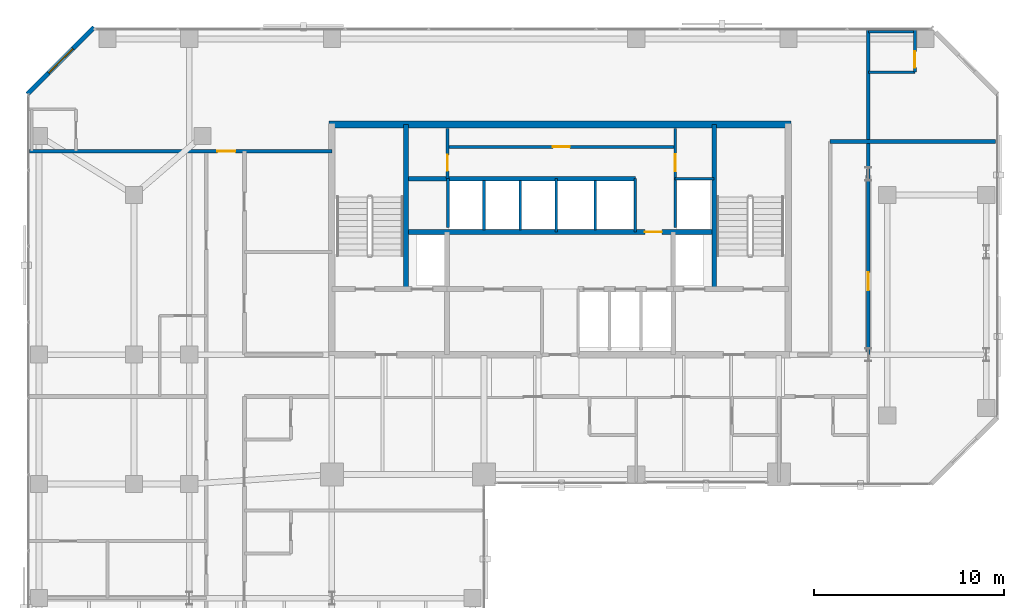
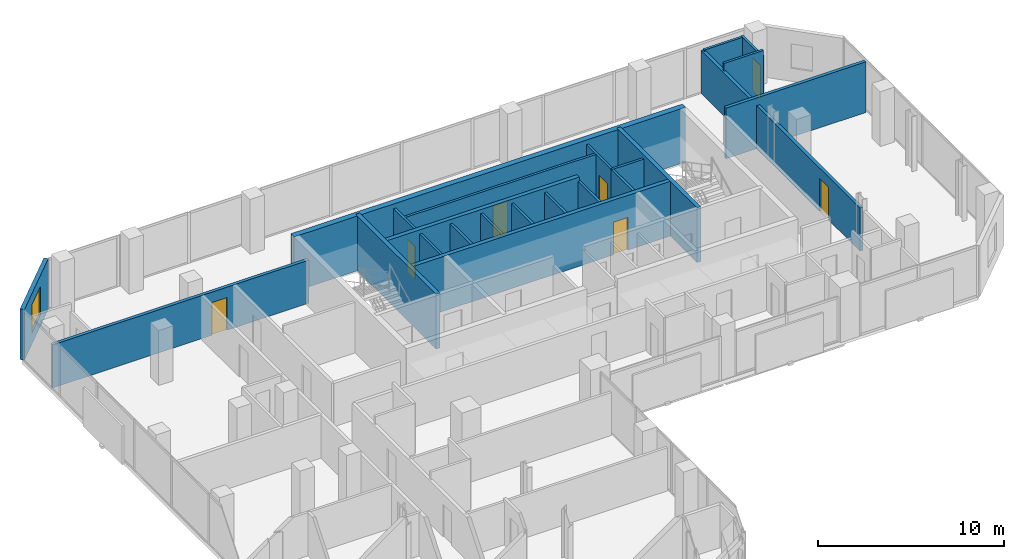
# One storey, part 30 of 34: 23 walls, 7 doors, 1 window, 8 openings.
"""IFC4 building model written with IfcOpenShell, lengths in metres."""

import ifcopenshell
import ifcopenshell.guid

model = None  # the IFC model being written
_history = None  # IfcOwnerHistory: only IFC2X3 demands one
_inside = {}  # id of a spatial element -> (the spatial element, [elements in it])
_under = {}  # id of a project, library or spatial element -> (it, [spatial elements below it])
_declared = {}  # id of a project -> (the project, [libraries it declares])
_typed = {}  # id of a type object -> (the type object, [elements of that type])
_made_of = {}  # id of a material, layer set ... -> (it, [elements and type objects made of it])


def new_model(schema):
    """Start an empty IFC model of exactly this schema.

    Asked for "IFC4X3", IfcOpenShell would pick the latest addendum, in which some entities
    have other attributes; the version numbers below select the first issue.
    IFC2X3 requires an IfcOwnerHistory on every rooted entity: one is made here for all.
    """
    global model, _history
    if schema == "IFC4X3":
        model = ifcopenshell.file(schema_version=(4, 3, 0, 0))
    else:
        model = ifcopenshell.file(schema=schema)
    _inside.clear()
    _under.clear()
    _declared.clear()
    _typed.clear()
    _made_of.clear()
    _history = None
    if model.schema == "IFC2X3":
        org = make("IfcOrganization", Name="unknown")
        user = make(
            "IfcPersonAndOrganization",
            ThePerson=make("IfcPerson", FamilyName="unknown"),
            TheOrganization=org,
        )
        app = make(
            "IfcApplication",
            ApplicationDeveloper=org,
            Version="unknown",
            ApplicationFullName="unknown",
            ApplicationIdentifier="unknown",
        )
        _history = make(
            "IfcOwnerHistory",
            OwningUser=user,
            OwningApplication=app,
            ChangeAction="ADDED",
            CreationDate=0,
        )
    return model


def make(cls, **values):
    """One entity of the class cls with the attributes given. An attribute that is None is left unset."""
    return model.create_entity(
        cls, **{name: value for name, value in values.items() if value is not None}
    )


def rooted(cls, **values):
    """An entity with a GlobalId (a new one), such as an element, a storey or a relation."""
    return make(cls, GlobalId=ifcopenshell.guid.new(), OwnerHistory=_history, **values)


def si_unit(unit_type, name, prefix=None):
    """IfcSIUnit, for example si_unit("LENGTHUNIT", "METRE", prefix="MILLI")."""
    return make("IfcSIUnit", UnitType=unit_type, Prefix=prefix, Name=name)


def assignment(units):
    """IfcUnitAssignment: the units of a project."""
    return None if units is None else make("IfcUnitAssignment", Units=units)


def point(xyz):
    """IfcCartesianPoint."""
    return None if xyz is None else make("IfcCartesianPoint", Coordinates=xyz)


def direction(xyz):
    """IfcDirection."""
    return None if xyz is None else make("IfcDirection", DirectionRatios=xyz)


def frame(location, z_axis=None, x_axis=None):
    """IfcAxis2Placement3D, a coordinate frame: its origin and axes. An axis left out is left unset."""
    return make(
        "IfcAxis2Placement3D",
        Location=point(location),
        Axis=direction(z_axis),
        RefDirection=direction(x_axis),
    )


def frame_2d(location, x_axis=None):
    """IfcAxis2Placement2D, a coordinate frame in the plane: its origin and x axis."""
    return make(
        "IfcAxis2Placement2D", Location=point(location), RefDirection=direction(x_axis)
    )


def origin():
    """The frame at (0, 0, 0) with its axes left unset."""
    return frame((0.0, 0.0, 0.0))


def place(relative_to, where):
    """IfcLocalPlacement: puts the frame where relative to a parent placement (None: the world)."""
    return make(
        "IfcLocalPlacement", PlacementRelTo=relative_to, RelativePlacement=where
    )


def context(
    kind, dimensions, precision=None, world=None, true_north=None, identifier=None
):
    """IfcGeometricRepresentationContext, for example the 3D "Model" context."""
    return make(
        "IfcGeometricRepresentationContext",
        ContextIdentifier=identifier,
        ContextType=kind,
        CoordinateSpaceDimension=dimensions,
        Precision=precision,
        WorldCoordinateSystem=world,
        TrueNorth=true_north,
    )


def subcontext(parent, identifier, kind, view, scale=None):
    """IfcGeometricRepresentationSubContext, for example "Body" below "Model"."""
    return make(
        "IfcGeometricRepresentationSubContext",
        ContextIdentifier=identifier,
        ContextType=kind,
        ParentContext=parent,
        TargetScale=scale,
        TargetView=view,
    )


def project(units=None, contexts=None):
    """IfcProject with its units and contexts."""
    return rooted(
        "IfcProject",
        Name="project",
        RepresentationContexts=contexts,
        UnitsInContext=assignment(units),
    )


def spatial(cls, under=None, at=None, **own):
    """A site, building, storey or space (cls), placed at a placement, below another one or the project."""
    s = rooted(cls, ObjectPlacement=at, **own)
    if under is not None:
        _under.setdefault(under.id(), (under, []))[1].append(s)
    return s


def profile(cls, at=None, kind="AREA", **sizes):
    """A parametric profile (cls). Its sizes go by their IFC names, for example OverallWidth=200.0."""
    return make(cls, ProfileType=kind, Position=at, **sizes)


def rectangle(**sizes):
    """IfcRectangleProfileDef."""
    return profile("IfcRectangleProfileDef", **sizes)


def extrude(swept, where, along, depth):
    """IfcExtrudedAreaSolid: the profile swept, set in the frame where, extruded along a direction by depth."""
    return make(
        "IfcExtrudedAreaSolid",
        SweptArea=swept,
        Position=where,
        ExtrudedDirection=direction(along),
        Depth=depth,
    )


def shape(context_of_items, identifier, shape_type, items):
    """IfcShapeRepresentation: the items that make up one representation, for example the "Body"."""
    return make(
        "IfcShapeRepresentation",
        ContextOfItems=context_of_items,
        RepresentationIdentifier=identifier,
        RepresentationType=shape_type,
        Items=items,
    )


def material(Name=None, Category=None):
    """IfcMaterial."""
    return make("IfcMaterial", Name=Name, Category=Category)


def layer(
    of_material, thickness, ventilated=None, Name=None, Category=None, Priority=None
):
    """IfcMaterialLayer: one layer of a wall or slab, of a material (None: an air gap)."""
    return make(
        "IfcMaterialLayer",
        Material=of_material,
        LayerThickness=thickness,
        IsVentilated=ventilated,
        Name=Name,
        Category=Category,
        Priority=Priority,
    )


def layer_set(layers, Name=None):
    """IfcMaterialLayerSet."""
    return make("IfcMaterialLayerSet", MaterialLayers=layers, LayerSetName=Name)


def made_of(thing, what):
    """Note that an element or type object is made of a material, layer set ...; save() writes the relation."""
    if what is not None:
        _made_of.setdefault(what.id(), (what, []))[1].append(thing)
    return thing


def type_object(cls, material=None, **own):
    """A type object (cls), such as IfcWallType, which elements share."""
    return made_of(rooted(cls, **own), material)


def element(
    cls,
    number,
    at=None,
    inside=None,
    cuts=None,
    type_object=None,
    material=None,
    context=None,
    identifier="Body",
    shape_type=None,
    held_by="IfcProductDefinitionShape",
    body=None,
    shapes=None,
    **own,
):
    """One element of the class cls, such as IfcWall. Its Tag is "e" and its number.

    at: its placement. inside: the storey or other place that contains it. cuts: it is an
    opening in that element (IfcRelVoidsElement). A single representation is given by context,
    identifier, shape_type and body (its items); several are given by shapes. held_by: the class
    of the entity that holds the representations. save() writes the other relations.
    """
    e = rooted(cls, Tag="e%d" % number, ObjectPlacement=at, **own)
    if body is not None:
        shapes = [shape(context, identifier, shape_type, body)]
    if shapes is not None:
        e.Representation = make(held_by, Representations=shapes)
    if inside is not None:
        _inside.setdefault(inside.id(), (inside, []))[1].append(e)
    if cuts is not None:
        rooted(
            "IfcRelVoidsElement", RelatingBuildingElement=cuts, RelatedOpeningElement=e
        )
    if type_object is not None:
        _typed.setdefault(type_object.id(), (type_object, []))[1].append(e)
    return made_of(e, material)


def fill(opening, filler):
    """IfcRelFillsElement: the door or window that sits in an opening."""
    return rooted(
        "IfcRelFillsElement",
        RelatingOpeningElement=opening,
        RelatedBuildingElement=filler,
    )


def aggregate(whole, parts):
    """IfcRelAggregates: a whole, such as a stair, and the parts it consists of."""
    return rooted("IfcRelAggregates", RelatingObject=whole, RelatedObjects=parts)


def save(model, path):
    """Write the relations noted so far, then the file.

    IfcRelAggregates (storeys below a building ...), IfcRelContainedInSpatialStructure (elements
    in a storey), IfcRelDefinesByType, IfcRelAssociatesMaterial and IfcRelDeclares: one each for
    every whole, place, type object, material and project.
    """
    for whole, parts in _under.values():
        aggregate(whole, parts)
    for where, things in _inside.values():
        rooted(
            "IfcRelContainedInSpatialStructure",
            RelatedElements=things,
            RelatingStructure=where,
        )
    for kind, things in _typed.values():
        rooted("IfcRelDefinesByType", RelatedObjects=things, RelatingType=kind)
    for what, things in _made_of.values():
        rooted("IfcRelAssociatesMaterial", RelatedObjects=things, RelatingMaterial=what)
    for by, libraries in _declared.values():
        rooted("IfcRelDeclares", RelatingContext=by, RelatedDefinitions=libraries)
    model.write(path)


model = new_model("IFC4")

# Units and contexts
model_context = context("Model", 3, precision=1e-05, world=origin(), true_north=direction((0.0, 1.0)))
body_context = subcontext(model_context, "Body", "Model", "MODEL_VIEW")
ifc_project = project(units=[si_unit("LENGTHUNIT", "METRE"), si_unit("AREAUNIT", "SQUARE_METRE"), si_unit("VOLUMEUNIT", "CUBIC_METRE"), si_unit("PLANEANGLEUNIT", "RADIAN"), si_unit("MASSUNIT", "GRAM", prefix="KILO")], contexts=[model_context])

# Site, building, storey
site_placement = place(None, origin())
site = spatial("IfcSite", under=ifc_project, at=site_placement, CompositionType="ELEMENT")
building_placement = place(site_placement, origin())
building = spatial("IfcBuilding", under=site, at=building_placement, Name="Catumbela Crestline Tower", CompositionType="ELEMENT")
storey_placement = place(building_placement, frame((0.0, 0.0, 97.2)))
storey = spatial("IfcBuildingStorey", under=building, at=storey_placement, Name="L24", CompositionType="ELEMENT", Elevation=97.2)

# Walls
ifc_material_1 = material(Name="Concrete C50/60", Category="concrete")
ifc_layer_1 = layer(ifc_material_1, 0.25, Name="Concrete C50/60")
ifc_layer_set_1 = layer_set([ifc_layer_1], Name="Concrete C50/60")
wall_type_1 = type_object("IfcWallType", Name="CW-250D", PredefinedType="SHEAR", material=ifc_layer_set_1)
for number, where, z_axis, x_axis, name in (
    (1, (19.9, 34.25, 0.0), (0.0, 0.0, 1.0), (0.0, 1.0, 0.0), "L24 Structural Core Shear Wall WWEB"),
    (2, (36.1, 34.25, 0.0), (0.0, 0.0, 1.0), (0.0, 1.0, 0.0), "L24 Structural Core Shear Wall EWEB"),
):
    element("IfcWall", number, at=place(storey_placement, frame(where, z_axis=z_axis, x_axis=x_axis)), inside=storey, type_object=wall_type_1, Name=name, PredefinedType="SHEAR", context=body_context, shape_type="SweptSolid", body=[
        extrude(rectangle(XDim=8.65, YDim=0.25, at=frame_2d((4.325, 0.0))), origin(), (0.0, 0.0, 1.0), 3.6),
    ])

# Wall, opening, door
wall_1_placement = place(storey_placement, frame((19.9, 37.25, 0.0), z_axis=(0.0, 0.0, 1.0), x_axis=(1.0, 0.0, 0.0)))
wall_1 = element("IfcWall", 3, at=wall_1_placement, inside=storey, type_object=wall_type_1, Name="L24 Structural Core Shear Wall LIFTN", PredefinedType="SHEAR", context=body_context, shape_type="SweptSolid", body=[
    extrude(rectangle(XDim=16.2, YDim=0.25, at=frame_2d((8.1, 0.0))), origin(), (0.0, 0.0, 1.0), 3.6),
])
opening_1_placement = place(wall_1_placement, frame((12.55, 0.0, 0.0)))
opening_1 = element("IfcOpeningElement", 4, at=opening_1_placement, cuts=wall_1, Name="Opening DF9-090", PredefinedType="OPENING", context=body_context, shape_type="SweptSolid", body=[
    extrude(rectangle(XDim=0.9, YDim=2.15, at=frame_2d((0.45, 1.075))), frame((0.0, 0.135, 0.0), z_axis=(0.0, -1.0, 0.0), x_axis=(1.0, 0.0, 0.0)), (0.0, 0.0, 1.0), 0.27),
])
ifc_material_2 = material(Name="Stainless steel EN 1.4401", Category="steel")
door_type_1 = type_object("IfcDoorType", Name="DF9-090", OperationType="NOTDEFINED", PredefinedType="DOOR", material=ifc_material_2)
door_1_placement = place(opening_1_placement, origin())
door_1 = element("IfcDoor", 5, at=door_1_placement, inside=storey, type_object=door_type_1, Name="L24 Interior Door DR-L24-CPAS1", OperationType="SINGLE_SWING_LEFT", OverallHeight=2.15, OverallWidth=0.9, PredefinedType="DOOR", context=body_context, shape_type="SweptSolid", body=[
    extrude(rectangle(XDim=0.9, YDim=2.15, at=frame_2d((0.45, 1.075))), frame((0.0, 0.025, 0.0), z_axis=(0.0, -1.0, 0.0), x_axis=(1.0, 0.0, 0.0)), (0.0, 0.0, 1.0), 0.05),
])
fill(opening_1, door_1)

# Walls
wall_2_placement = place(storey_placement, frame((19.9, 40.05, 0.0), z_axis=(0.0, 0.0, 1.0), x_axis=(1.0, 0.0, 0.0)))
element("IfcWall", 6, at=wall_2_placement, inside=storey, type_object=wall_type_1, Name="L24 Structural Core Shear Wall COREN", PredefinedType="SHEAR", context=body_context, shape_type="SweptSolid", body=[
    extrude(rectangle(XDim=12.05, YDim=0.25, at=frame_2d((6.025, 0.0))), origin(), (0.0, 0.0, 1.0), 3.6),
])
ifc_layer_2 = layer(ifc_material_1, 0.35, Name="Concrete C50/60")
ifc_layer_set_2 = layer_set([ifc_layer_2], Name="Concrete C50/60")
wall_type_2 = type_object("IfcWallType", Name="CW-350B", PredefinedType="SHEAR", material=ifc_layer_set_2)
wall_3_placement = place(storey_placement, frame((15.85, 42.9, 0.0), z_axis=(0.0, 0.0, 1.0), x_axis=(1.0, 0.0, 0.0)))
element("IfcWall", 7, at=wall_3_placement, inside=storey, type_object=wall_type_2, Name="L24 Structural Core Shear Wall N", PredefinedType="SHEAR", context=body_context, shape_type="SweptSolid", body=[
    extrude(rectangle(XDim=24.3, YDim=0.35, at=frame_2d((12.15, 0.0))), origin(), (0.0, 0.0, 1.0), 3.6),
])
ifc_material_3 = material(Name="Acoustic gypsum and mineral-wool partition")
ifc_layer_3 = layer(ifc_material_3, 0.2, Name="Acoustic gypsum and mineral-wool partition")
ifc_layer_set_3 = layer_set([ifc_layer_3], Name="Acoustic gypsum and mineral-wool partition")
wall_type_3 = type_object("IfcWallType", Name="WC-200", PredefinedType="PARTITIONING", material=ifc_layer_set_3)
wall_4_placement = place(storey_placement, frame((42.2, 42.0, 0.0), z_axis=(0.0, 0.0, 1.0), x_axis=(1.0, 0.0, 0.0)))
element("IfcWall", 8, at=wall_4_placement, inside=storey, type_object=wall_type_3, Name="L24 Interior Partition PW-L24-Z2CW-E3", PredefinedType="PARTITIONING", context=body_context, shape_type="SweptSolid", body=[
    extrude(rectangle(XDim=8.7, YDim=0.2, at=frame_2d((4.35, 0.0))), origin(), (0.0, 0.0, 1.0), 3.33),
])

# Wall, opening, door
wall_5_placement = place(storey_placement, frame((0.1, 41.5, 0.0), z_axis=(0.0, 0.0, 1.0), x_axis=(1.0, 0.0, 0.0)))
wall_5 = element("IfcWall", 9, at=wall_5_placement, inside=storey, type_object=wall_type_3, Name="L24 Interior Partition PW-L24-Z2NWT-ENT", PredefinedType="PARTITIONING", context=body_context, shape_type="SweptSolid", body=[
    extrude(rectangle(XDim=15.9, YDim=0.2, at=frame_2d((7.95, 0.0))), origin(), (0.0, 0.0, 1.0), 2.83),
])
opening_2_placement = place(wall_5_placement, frame((9.8771, 0.0, 0.0)))
opening_2 = element("IfcOpeningElement", 10, at=opening_2_placement, cuts=wall_5, Name="Opening DF6-095", PredefinedType="OPENING", context=body_context, shape_type="SweptSolid", body=[
    extrude(rectangle(XDim=0.95, YDim=2.15, at=frame_2d((0.475, 1.075))), frame((0.0, 0.11, 0.0), z_axis=(0.0, -1.0, 0.0), x_axis=(1.0, 0.0, 0.0)), (0.0, 0.0, 1.0), 0.22),
])
ifc_material_4 = material(Name="Aluminium alloy AW-6060-T66", Category="aluminium")
door_type_2 = type_object("IfcDoorType", Name="DF6-095", OperationType="NOTDEFINED", PredefinedType="DOOR", material=ifc_material_4)
door_2_placement = place(opening_2_placement, origin())
door_2 = element("IfcDoor", 11, at=door_2_placement, inside=storey, type_object=door_type_2, Name="L24 Interior Door DR-L24-Z2NWT-ENT", OperationType="SINGLE_SWING_RIGHT", OverallHeight=2.15, OverallWidth=0.95, PredefinedType="DOOR", context=body_context, shape_type="SweptSolid", body=[
    extrude(rectangle(XDim=0.95, YDim=2.15, at=frame_2d((0.475, 1.075))), frame((0.0, 0.025, 0.0), z_axis=(0.0, -1.0, 0.0), x_axis=(1.0, 0.0, 0.0)), (0.0, 0.0, 1.0), 0.05),
])
fill(opening_2, door_2)

wall_6_placement = place(storey_placement, frame((44.2, 30.8, 0.0), z_axis=(0.0, 0.0, 1.0), x_axis=(0.0, 1.0, 0.0)))
wall_6 = element("IfcWall", 12, at=wall_6_placement, inside=storey, type_object=wall_type_3, Name="L24 Interior Partition PW-L24-SE1-ENT", PredefinedType="PARTITIONING", context=body_context, shape_type="SweptSolid", body=[
    extrude(rectangle(XDim=17.1, YDim=0.2, at=frame_2d((8.55, 0.0))), origin(), (0.0, 0.0, 1.0), 2.83),
])
opening_3_placement = place(wall_6_placement, frame((3.3825, 0.0, 0.0)))
opening_3 = element("IfcOpeningElement", 13, at=opening_3_placement, cuts=wall_6, Name="Opening DF6-095", PredefinedType="OPENING", context=body_context, shape_type="SweptSolid", body=[
    extrude(rectangle(XDim=0.95, YDim=2.15, at=frame_2d((0.475, 1.075))), frame((0.0, 0.11, 0.0), z_axis=(0.0, -1.0, 0.0), x_axis=(1.0, 0.0, 0.0)), (0.0, 0.0, 1.0), 0.22),
])
door_3_placement = place(opening_3_placement, origin())
door_3 = element("IfcDoor", 14, at=door_3_placement, inside=storey, type_object=door_type_2, Name="L24 Interior Door DR-L24-SE1-ENT", OperationType="SINGLE_SWING_RIGHT", OverallHeight=2.15, OverallWidth=0.95, PredefinedType="DOOR", context=body_context, shape_type="SweptSolid", body=[
    extrude(rectangle(XDim=0.95, YDim=2.15, at=frame_2d((0.475, 1.075))), frame((0.0, 0.025, 0.0), z_axis=(0.0, -1.0, 0.0), x_axis=(1.0, 0.0, 0.0)), (0.0, 0.0, 1.0), 0.05),
])
fill(opening_3, door_3)

# Wall, opening, window
ifc_material_5 = material(Name="Angolan grey-ochre granite", Category="masonry")
ifc_layer_4 = layer(ifc_material_5, 0.25, Name="Angolan grey-ochre granite")
ifc_layer_set_4 = layer_set([ifc_layer_4], Name="Angolan grey-ochre granite")
wall_type_4 = type_object("IfcWallType", Name="WE-250", PredefinedType="STANDARD", material=ifc_layer_set_4)
wall_7_placement = place(storey_placement, frame((3.5, 48.0, 0.0), z_axis=(0.0, 0.0, 1.0), x_axis=(-0.707106781187, -0.707106781187, 0.0)))
wall_7 = element("IfcWall", 15, at=wall_7_placement, inside=storey, type_object=wall_type_4, Name="L24 Granite Punched Window Wall 8-1", PredefinedType="STANDARD", context=body_context, shape_type="SweptSolid", body=[
    extrude(rectangle(XDim=4.9497, YDim=0.25, at=frame_2d((2.4748, 0.0))), origin(), (0.0, 0.0, 1.0), 3.33),
])
opening_4_placement = place(wall_7_placement, frame((1.5749, 0.0, 0.75)))
opening_4 = element("IfcOpeningElement", 16, at=opening_4_placement, cuts=wall_7, Name="Opening WN-01", PredefinedType="OPENING", context=body_context, shape_type="SweptSolid", body=[
    extrude(rectangle(XDim=1.8, YDim=1.85, at=frame_2d((0.9, 0.925))), frame((0.0, 0.135, 0.0), z_axis=(0.0, -1.0, 0.0), x_axis=(1.0, 0.0, 0.0)), (0.0, 0.0, 1.0), 0.27),
])
ifc_material_6 = material(Name="Low-E laminated solar-control double glazing", Category="glass")
window_type = type_object("IfcWindowType", Name="WF-1800", PartitioningType="SINGLE_PANEL", PredefinedType="WINDOW", material=ifc_material_6)
window_placement = place(opening_4_placement, origin())
window = element("IfcWindow", 17, at=window_placement, inside=storey, type_object=window_type, Name="L24 Facade Vision Window 143", OverallHeight=1.85, OverallWidth=1.8, PartitioningType="SINGLE_PANEL", PredefinedType="WINDOW", context=body_context, shape_type="SweptSolid", body=[
    extrude(rectangle(XDim=1.8, YDim=1.85, at=frame_2d((0.9, 0.925))), frame((0.0, 0.03, 0.0), z_axis=(0.0, -1.0, 0.0), x_axis=(1.0, 0.0, 0.0)), (0.0, 0.0, 1.0), 0.06),
])
fill(opening_4, window)

# Wall
ifc_layer_5 = layer(ifc_material_3, 0.15, Name="Acoustic gypsum and mineral-wool partition")
ifc_layer_set_5 = layer_set([ifc_layer_5], Name="Acoustic gypsum and mineral-wool partition")
wall_type_5 = type_object("IfcWallType", Name="WP-150", PredefinedType="PARTITIONING", material=ifc_layer_set_5)
wall_8_placement = place(storey_placement, frame((34.05, 40.05, 0.0), z_axis=(0.0, 0.0, 1.0), x_axis=(1.0, 0.0, 0.0)))
element("IfcWall", 18, at=wall_8_placement, inside=storey, type_object=wall_type_5, Name="L24 Interior Partition PW-L24-CR-ES", PredefinedType="PARTITIONING", context=body_context, shape_type="SweptSolid", body=[
    extrude(rectangle(XDim=2.05, YDim=0.15, at=frame_2d((1.025, 0.0))), origin(), (0.0, 0.0, 1.0), 3.33),
])

# Wall, opening, door
wall_9_placement = place(storey_placement, frame((34.05, 40.05, 0.0), z_axis=(0.0, 0.0, 1.0), x_axis=(0.0, 1.0, 0.0)))
wall_9 = element("IfcWall", 19, at=wall_9_placement, inside=storey, type_object=wall_type_5, Name="L24 Interior Partition PW-L24-CR-EW", PredefinedType="PARTITIONING", context=body_context, shape_type="SweptSolid", body=[
    extrude(rectangle(XDim=2.63, YDim=0.15, at=frame_2d((1.315, 0.0))), origin(), (0.0, 0.0, 1.0), 3.33),
])
opening_5_placement = place(wall_9_placement, frame((0.385, 0.0, 0.0)))
opening_5 = element("IfcOpeningElement", 20, at=opening_5_placement, cuts=wall_9, Name="Opening DF9-090", PredefinedType="OPENING", context=body_context, shape_type="SweptSolid", body=[
    extrude(rectangle(XDim=0.9, YDim=2.15, at=frame_2d((0.45, 1.075))), frame((0.0, 0.085, 0.0), z_axis=(0.0, -1.0, 0.0), x_axis=(1.0, 0.0, 0.0)), (0.0, 0.0, 1.0), 0.17),
])
door_4_placement = place(opening_5_placement, origin())
door_4 = element("IfcDoor", 21, at=door_4_placement, inside=storey, type_object=door_type_1, Name="L24 Interior Door DR-L24-CREAST", OperationType="SINGLE_SWING_RIGHT", OverallHeight=2.15, OverallWidth=0.9, PredefinedType="DOOR", context=body_context, shape_type="SweptSolid", body=[
    extrude(rectangle(XDim=0.9, YDim=2.15, at=frame_2d((0.45, 1.075))), frame((0.0, 0.025, 0.0), z_axis=(0.0, -1.0, 0.0), x_axis=(1.0, 0.0, 0.0)), (0.0, 0.0, 1.0), 0.05),
])
fill(opening_5, door_4)

wall_10_placement = place(storey_placement, frame((22.08, 40.05, 0.0), z_axis=(0.0, 0.0, 1.0), x_axis=(0.0, 1.0, 0.0)))
wall_10 = element("IfcWall", 22, at=wall_10_placement, inside=storey, type_object=wall_type_5, Name="L24 Interior Partition PW-L24-CR-WCW", PredefinedType="PARTITIONING", context=body_context, shape_type="SweptSolid", body=[
    extrude(rectangle(XDim=2.63, YDim=0.15, at=frame_2d((1.315, 0.0))), origin(), (0.0, 0.0, 1.0), 3.33),
])
opening_6_placement = place(wall_10_placement, frame((0.41, 0.0, 0.0)))
opening_6 = element("IfcOpeningElement", 23, at=opening_6_placement, cuts=wall_10, Name="Opening DI-085", PredefinedType="OPENING", context=body_context, shape_type="SweptSolid", body=[
    extrude(rectangle(XDim=0.85, YDim=2.15, at=frame_2d((0.425, 1.075))), frame((0.0, 0.085, 0.0), z_axis=(0.0, -1.0, 0.0), x_axis=(1.0, 0.0, 0.0)), (0.0, 0.0, 1.0), 0.17),
])
door_type_3 = type_object("IfcDoorType", Name="DI-085", OperationType="NOTDEFINED", PredefinedType="DOOR", material=ifc_material_4)
door_5_placement = place(opening_6_placement, origin())
door_5 = element("IfcDoor", 24, at=door_5_placement, inside=storey, type_object=door_type_3, Name="L24 Interior Door DR-L24-CRWC", OperationType="SINGLE_SWING_LEFT", OverallHeight=2.15, OverallWidth=0.85, PredefinedType="DOOR", context=body_context, shape_type="SweptSolid", body=[
    extrude(rectangle(XDim=0.85, YDim=2.15, at=frame_2d((0.425, 1.075))), frame((0.0, 0.025, 0.0), z_axis=(0.0, -1.0, 0.0), x_axis=(1.0, 0.0, 0.0)), (0.0, 0.0, 1.0), 0.05),
])
fill(opening_6, door_5)

wall_11_placement = place(storey_placement, frame((22.08, 41.72, 0.0), z_axis=(0.0, 0.0, 1.0), x_axis=(1.0, 0.0, 0.0)))
wall_11 = element("IfcWall", 25, at=wall_11_placement, inside=storey, type_object=wall_type_5, Name="L24 Interior Partition PW-L24-CR-MID", PredefinedType="PARTITIONING", context=body_context, shape_type="SweptSolid", body=[
    extrude(rectangle(XDim=11.97, YDim=0.15, at=frame_2d((5.985, 0.0))), origin(), (0.0, 0.0, 1.0), 3.33),
])
opening_7_placement = place(wall_11_placement, frame((5.535, 0.0, 0.0)))
opening_7 = element("IfcOpeningElement", 26, at=opening_7_placement, cuts=wall_11, Name="Opening DF9-090", PredefinedType="OPENING", context=body_context, shape_type="SweptSolid", body=[
    extrude(rectangle(XDim=0.9, YDim=2.15, at=frame_2d((0.45, 1.075))), frame((0.0, 0.085, 0.0), z_axis=(0.0, -1.0, 0.0), x_axis=(1.0, 0.0, 0.0)), (0.0, 0.0, 1.0), 0.17),
])
door_6_placement = place(opening_7_placement, origin())
door_6 = element("IfcDoor", 27, at=door_6_placement, inside=storey, type_object=door_type_1, Name="L24 Interior Door DR-L24-CRMID", OperationType="SINGLE_SWING_LEFT", OverallHeight=2.15, OverallWidth=0.9, PredefinedType="DOOR", context=body_context, shape_type="SweptSolid", body=[
    extrude(rectangle(XDim=0.9, YDim=2.15, at=frame_2d((0.45, 1.075))), frame((0.0, 0.025, 0.0), z_axis=(0.0, -1.0, 0.0), x_axis=(1.0, 0.0, 0.0)), (0.0, 0.0, 1.0), 0.05),
])
fill(opening_7, door_6)

# Wall
wall_12_placement = place(storey_placement, frame((44.2, 45.65, 0.0), z_axis=(0.0, 0.0, 1.0), x_axis=(1.0, 0.0, 0.0)))
element("IfcWall", 28, at=wall_12_placement, inside=storey, type_object=wall_type_5, Name="L24 Interior Partition PW-L24-SE1-BSW", PredefinedType="PARTITIONING", context=body_context, shape_type="SweptSolid", body=[
    extrude(rectangle(XDim=2.45, YDim=0.15, at=frame_2d((1.225, 0.0))), origin(), (0.0, 0.0, 1.0), 3.33),
])

# Wall, opening, door
wall_13_placement = place(storey_placement, frame((46.65, 45.65, 0.0), z_axis=(0.0, 0.0, 1.0), x_axis=(0.0, 1.0, 0.0)))
wall_13 = element("IfcWall", 29, at=wall_13_placement, inside=storey, type_object=wall_type_5, Name="L24 Interior Partition PW-L24-SE1-BEW", PredefinedType="PARTITIONING", context=body_context, shape_type="SweptSolid", body=[
    extrude(rectangle(XDim=2.25, YDim=0.15, at=frame_2d((1.125, 0.0))), origin(), (0.0, 0.0, 1.0), 2.92),
])
opening_8_placement = place(wall_13_placement, frame((0.24, 0.0, 0.0)))
opening_8 = element("IfcOpeningElement", 30, at=opening_8_placement, cuts=wall_13, Name="Opening DI-085", PredefinedType="OPENING", context=body_context, shape_type="SweptSolid", body=[
    extrude(rectangle(XDim=0.85, YDim=2.15, at=frame_2d((0.425, 1.075))), frame((0.0, 0.085, 0.0), z_axis=(0.0, -1.0, 0.0), x_axis=(1.0, 0.0, 0.0)), (0.0, 0.0, 1.0), 0.17),
])
door_7_placement = place(opening_8_placement, origin())
door_7 = element("IfcDoor", 31, at=door_7_placement, inside=storey, type_object=door_type_3, Name="L24 Interior Door DR-L24-SE1-BTH", OperationType="SINGLE_SWING_LEFT", OverallHeight=2.15, OverallWidth=0.85, PredefinedType="DOOR", context=body_context, shape_type="SweptSolid", body=[
    extrude(rectangle(XDim=0.85, YDim=2.15, at=frame_2d((0.425, 1.075))), frame((0.0, 0.025, 0.0), z_axis=(0.0, -1.0, 0.0), x_axis=(1.0, 0.0, 0.0)), (0.0, 0.0, 1.0), 0.05),
])
fill(opening_8, door_7)

# Walls
wall_14_placement = place(storey_placement, frame((44.2, 47.78, 0.0), z_axis=(0.0, 0.0, 1.0), x_axis=(1.0, 0.0, 0.0)))
element("IfcWall", 32, at=wall_14_placement, inside=storey, type_object=wall_type_5, Name="L24 Interior Partition PW-L24-SE1-BCL-2", PredefinedType="PARTITIONING", context=body_context, shape_type="SweptSolid", body=[
    extrude(rectangle(XDim=2.45, YDim=0.15, at=frame_2d((1.225, 0.0))), origin(), (0.0, 0.0, 1.0), 2.92),
])
ifc_layer_6 = layer(ifc_material_3, 0.15, Name="Acoustic gypsum and mineral-wool partition")
ifc_layer_set_6 = layer_set([ifc_layer_6], Name="Acoustic gypsum and mineral-wool partition")
wall_type_6 = type_object("IfcWallType", Name="WS-150", PredefinedType="PLUMBINGWALL", material=ifc_layer_set_6)
wall_15_placement = place(storey_placement, frame((22.1, 37.4897, 0.0), z_axis=(0.0, 0.0, 1.0), x_axis=(0.0, 1.0, 0.0)))
element("IfcWall", 33, at=wall_15_placement, inside=storey, type_object=wall_type_6, Name="L24 Interior Partition PW-L24-SHH0", PredefinedType="PLUMBINGWALL", context=body_context, shape_type="SweptSolid", body=[
    extrude(rectangle(XDim=2.5603, YDim=0.15, at=frame_2d((1.2801, 0.0))), origin(), (0.0, 0.0, 1.0), 3.33),
])
wall_16_placement = place(storey_placement, frame((27.8, 37.25, 0.0), z_axis=(0.0, 0.0, 1.0), x_axis=(0.0, 1.0, 0.0)))
element("IfcWall", 34, at=wall_16_placement, inside=storey, type_object=wall_type_6, Name="L24 Interior Partition PW-L24-SHH3", PredefinedType="PLUMBINGWALL", context=body_context, shape_type="SweptSolid", body=[
    extrude(rectangle(XDim=2.8, YDim=0.15, at=frame_2d((1.4, 0.0))), origin(), (0.0, 0.0, 1.0), 3.33),
])
for number, where, z_axis, x_axis, name in (
    (35, (24.0, 37.35, 0.0), (0.0, 0.0, 1.0), (0.0, 1.0, 0.0), "L24 Interior Partition PW-L24-SHH1"),
    (36, (25.9, 37.35, 0.0), (0.0, 0.0, 1.0), (0.0, 1.0, 0.0), "L24 Interior Partition PW-L24-SHH2"),
):
    element("IfcWall", number, at=place(storey_placement, frame(where, z_axis=z_axis, x_axis=x_axis)), inside=storey, type_object=wall_type_6, Name=name, PredefinedType="PLUMBINGWALL", context=body_context, shape_type="SweptSolid", body=[
        extrude(rectangle(XDim=2.6, YDim=0.15, at=frame_2d((1.3, 0.0))), origin(), (0.0, 0.0, 1.0), 3.33),
    ])
wall_17_placement = place(storey_placement, frame((31.95, 37.25, 0.0), z_axis=(0.0, 0.0, 1.0), x_axis=(0.0, 1.0, 0.0)))
element("IfcWall", 37, at=wall_17_placement, inside=storey, type_object=wall_type_6, Name="L24 Interior Partition PW-L24-SHEX2E", PredefinedType="PLUMBINGWALL", context=body_context, shape_type="SweptSolid", body=[
    extrude(rectangle(XDim=2.8, YDim=0.15, at=frame_2d((1.4, 0.0))), origin(), (0.0, 0.0, 1.0), 3.33),
])
wall_18_placement = place(storey_placement, frame((29.85, 37.35, 0.0), z_axis=(0.0, 0.0, 1.0), x_axis=(0.0, 1.0, 0.0)))
element("IfcWall", 38, at=wall_18_placement, inside=storey, type_object=wall_type_6, Name="L24 Interior Partition PW-L24-SHEX1", PredefinedType="PLUMBINGWALL", context=body_context, shape_type="SweptSolid", body=[
    extrude(rectangle(XDim=2.6, YDim=0.15, at=frame_2d((1.3, 0.0))), origin(), (0.0, 0.0, 1.0), 3.33),
])
wall_19_placement = place(storey_placement, frame((34.05, 37.4734, 0.0), z_axis=(0.0, 0.0, 1.0), x_axis=(0.0, 1.0, 0.0)))
element("IfcWall", 39, at=wall_19_placement, inside=storey, type_object=wall_type_6, Name="L24 Interior Partition PW-L24-RISW", PredefinedType="PLUMBINGWALL", context=body_context, shape_type="SweptSolid", body=[
    extrude(rectangle(XDim=2.5766, YDim=0.15, at=frame_2d((1.2883, 0.0))), origin(), (0.0, 0.0, 1.0), 3.33),
])

save(model, "model.ifc")
